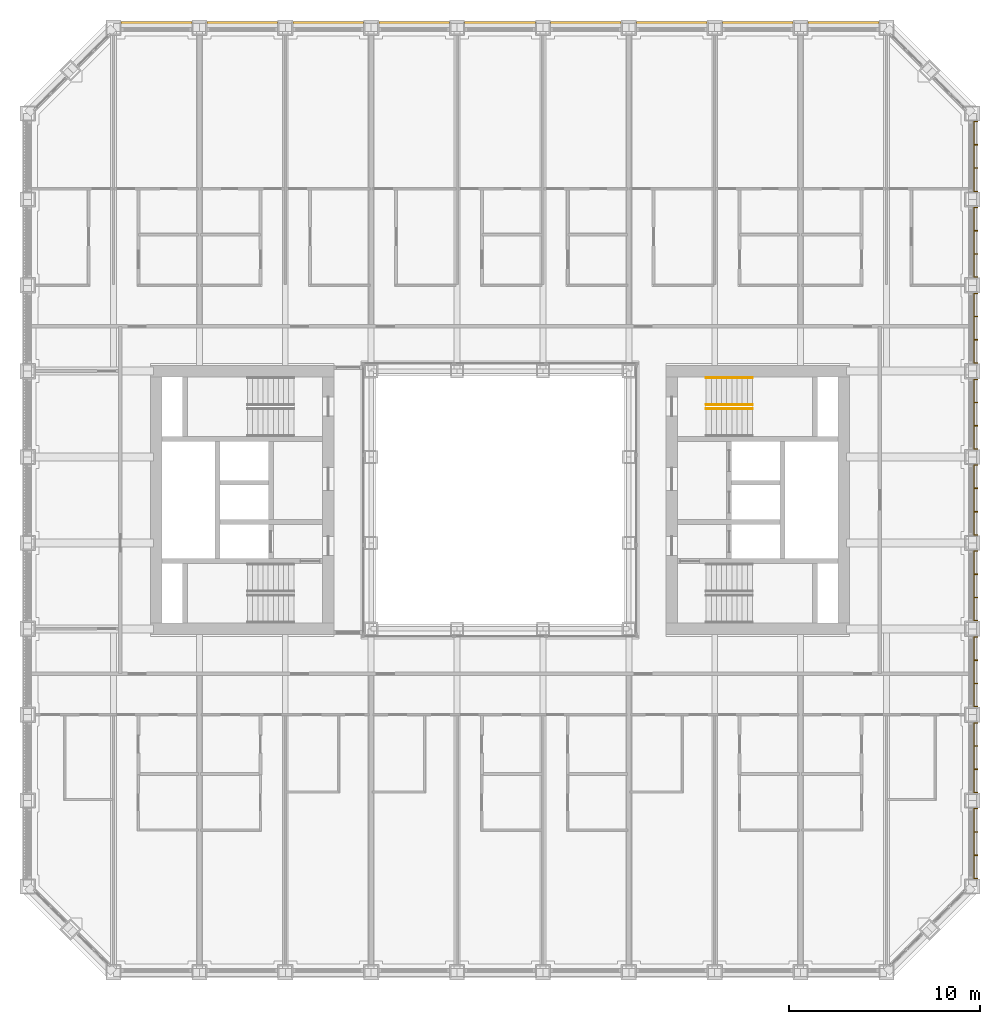
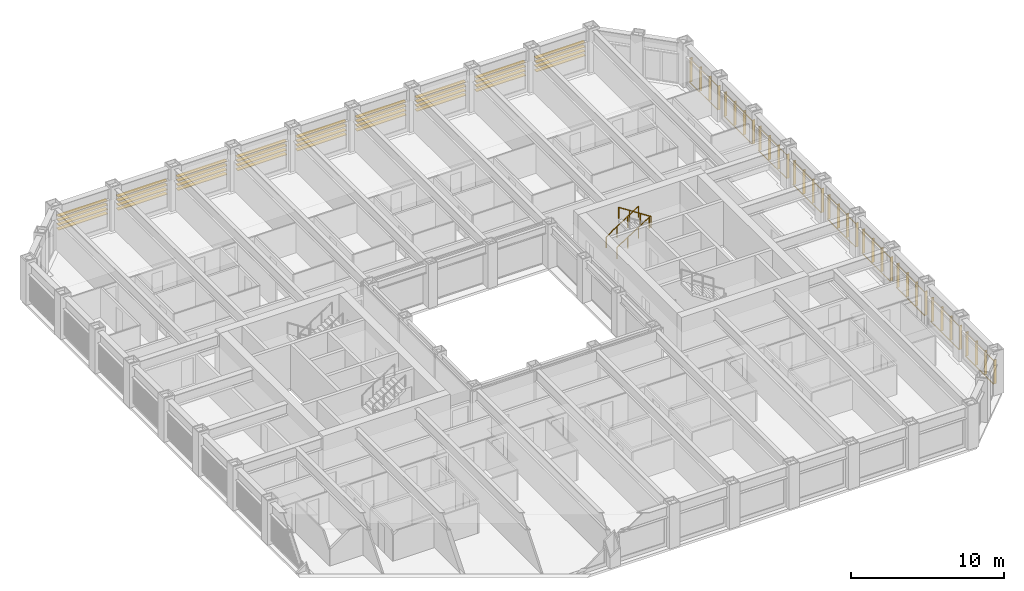
# One storey, part 21 of 21: 3 railings, 2 shading devices.
"""IFC4 building model written with IfcOpenShell, lengths in metres."""

from ifc_helpers import new_model, si_unit, direction, frame, origin, origin_2d, place, context, subcontext, project, spatial, rectangle, circle, extrude, material, type_object, element, save


model = new_model("IFC4")

# Units and contexts
model_context = context("Model", 3, precision=1e-05, world=origin(), true_north=direction((0.0, 1.0)))
body_context = subcontext(model_context, "Body", "Model", "MODEL_VIEW")
ifc_project = project(units=[si_unit("LENGTHUNIT", "METRE"), si_unit("AREAUNIT", "SQUARE_METRE"), si_unit("VOLUMEUNIT", "CUBIC_METRE"), si_unit("PLANEANGLEUNIT", "RADIAN"), si_unit("MASSUNIT", "GRAM", prefix="KILO")], contexts=[model_context])

# Site, building, storey
site_placement = place(None, origin())
site = spatial("IfcSite", under=ifc_project, at=site_placement, CompositionType="ELEMENT")
building_placement = place(site_placement, origin())
building = spatial("IfcBuilding", under=site, at=building_placement, Name="Msasa Ring Tower", CompositionType="ELEMENT")
storey_placement = place(building_placement, frame((0.0, 0.0, 51.0)))
storey = spatial("IfcBuildingStorey", under=building, at=storey_placement, Name="L12", CompositionType="ELEMENT", Elevation=51.0)

# Shading device
ifc_material_1 = material(Name="Extruded terracotta on aluminium carriers", Category="masonry")
shading_device_type_1 = type_object("IfcShadingDeviceType", Name="BS2 TERRACOTTA FIN SCREEN 40x200 AT 1350", PredefinedType="USERDEFINED", material=ifc_material_1)
shading_device_1_placement = place(storey_placement, origin())
element("IfcShadingDevice", 1, at=shading_device_1_placement, inside=storey, type_object=shading_device_type_1, Name="Terracotta fin screen E L12", ObjectType="BAGUETTE", PredefinedType="USERDEFINED", context=body_context, shape_type="SweptSolid", body=[
    extrude(rectangle(XDim=0.06005859375, YDim=0.0400390625, at=origin_2d()), frame((24.830078125, -19.85009765625, 0.330078125), z_axis=(0.0, 1.0, 0.0), x_axis=(0.0, 0.0, 1.0)), (0.0, 0.0, 1.0), 3.699951171875),
    extrude(rectangle(XDim=0.06005859375, YDim=0.0400390625, at=origin_2d()), frame((24.830078125, -19.85009765625, 2.198974609375), z_axis=(0.0, 1.0, 0.0), x_axis=(0.0, 0.0, 1.0)), (0.0, 0.0, 1.0), 3.699951171875),
    extrude(rectangle(XDim=0.0400390625, YDim=0.199951171875, at=origin_2d()), frame((24.945068359375, -19.830078125, 0.300048828125), z_axis=(0.0, 0.0, 1.0), x_axis=(0.0, 1.0, 0.0)), (0.0, 0.0, 1.0), 1.928955078125),
    extrude(rectangle(XDim=0.0400390625, YDim=0.199951171875, at=origin_2d()), frame((24.945068359375, -18.610107421875, 0.300048828125), z_axis=(0.0, 0.0, 1.0), x_axis=(0.0, 1.0, 0.0)), (0.0, 0.0, 1.0), 1.928955078125),
    extrude(rectangle(XDim=0.0400390625, YDim=0.199951171875, at=origin_2d()), frame((24.945068359375, -17.389892578125, 0.300048828125), z_axis=(0.0, 0.0, 1.0), x_axis=(0.0, 1.0, 0.0)), (0.0, 0.0, 1.0), 1.928955078125),
    extrude(rectangle(XDim=0.0400390625, YDim=0.199951171875, at=origin_2d()), frame((24.945068359375, -16.169921875, 0.300048828125), z_axis=(0.0, 0.0, 1.0), x_axis=(0.0, 1.0, 0.0)), (0.0, 0.0, 1.0), 1.928955078125),
    extrude(rectangle(XDim=0.06005859375, YDim=0.0400390625, at=origin_2d()), frame((24.830078125, -15.35009765625, 0.330078125), z_axis=(0.0, 1.0, 0.0), x_axis=(0.0, 0.0, 1.0)), (0.0, 0.0, 1.0), 3.699951171875),
    extrude(rectangle(XDim=0.06005859375, YDim=0.0400390625, at=origin_2d()), frame((24.830078125, -15.35009765625, 2.198974609375), z_axis=(0.0, 1.0, 0.0), x_axis=(0.0, 0.0, 1.0)), (0.0, 0.0, 1.0), 3.699951171875),
    extrude(rectangle(XDim=0.0400390625, YDim=0.199951171875, at=origin_2d()), frame((24.945068359375, -15.330078125, 0.300048828125), z_axis=(0.0, 0.0, 1.0), x_axis=(0.0, 1.0, 0.0)), (0.0, 0.0, 1.0), 1.928955078125),
    extrude(rectangle(XDim=0.0400390625, YDim=0.199951171875, at=origin_2d()), frame((24.945068359375, -14.110107421875, 0.300048828125), z_axis=(0.0, 0.0, 1.0), x_axis=(0.0, 1.0, 0.0)), (0.0, 0.0, 1.0), 1.928955078125),
    extrude(rectangle(XDim=0.0400390625, YDim=0.199951171875, at=origin_2d()), frame((24.945068359375, -12.889892578125, 0.300048828125), z_axis=(0.0, 0.0, 1.0), x_axis=(0.0, 1.0, 0.0)), (0.0, 0.0, 1.0), 1.928955078125),
    extrude(rectangle(XDim=0.0400390625, YDim=0.199951171875, at=origin_2d()), frame((24.945068359375, -11.669921875, 0.300048828125), z_axis=(0.0, 0.0, 1.0), x_axis=(0.0, 1.0, 0.0)), (0.0, 0.0, 1.0), 1.928955078125),
    extrude(rectangle(XDim=0.06005859375, YDim=0.0400390625, at=origin_2d()), frame((24.830078125, -10.85009765625, 0.330078125), z_axis=(0.0, 1.0, 0.0), x_axis=(0.0, 0.0, 1.0)), (0.0, 0.0, 1.0), 3.699951171875),
    extrude(rectangle(XDim=0.06005859375, YDim=0.0400390625, at=origin_2d()), frame((24.830078125, -10.85009765625, 2.198974609375), z_axis=(0.0, 1.0, 0.0), x_axis=(0.0, 0.0, 1.0)), (0.0, 0.0, 1.0), 3.699951171875),
    extrude(rectangle(XDim=0.0400390625, YDim=0.199951171875, at=origin_2d()), frame((24.945068359375, -10.830078125, 0.300048828125), z_axis=(0.0, 0.0, 1.0), x_axis=(0.0, 1.0, 0.0)), (0.0, 0.0, 1.0), 1.928955078125),
    extrude(rectangle(XDim=0.0400390625, YDim=0.199951171875, at=origin_2d()), frame((24.945068359375, -9.610107421875, 0.300048828125), z_axis=(0.0, 0.0, 1.0), x_axis=(0.0, 1.0, 0.0)), (0.0, 0.0, 1.0), 1.928955078125),
    extrude(rectangle(XDim=0.0400390625, YDim=0.199951171875, at=origin_2d()), frame((24.945068359375, -8.389892578125, 0.300048828125), z_axis=(0.0, 0.0, 1.0), x_axis=(0.0, 1.0, 0.0)), (0.0, 0.0, 1.0), 1.928955078125),
    extrude(rectangle(XDim=0.0400390625, YDim=0.199951171875, at=origin_2d()), frame((24.945068359375, -7.169921875, 0.300048828125), z_axis=(0.0, 0.0, 1.0), x_axis=(0.0, 1.0, 0.0)), (0.0, 0.0, 1.0), 1.928955078125),
    extrude(rectangle(XDim=0.06005859375, YDim=0.0400390625, at=origin_2d()), frame((24.830078125, -6.35009765625, 0.330078125), z_axis=(0.0, 1.0, 0.0), x_axis=(0.0, 0.0, 1.0)), (0.0, 0.0, 1.0), 3.699951171875),
    extrude(rectangle(XDim=0.06005859375, YDim=0.0400390625, at=origin_2d()), frame((24.830078125, -6.35009765625, 2.198974609375), z_axis=(0.0, 1.0, 0.0), x_axis=(0.0, 0.0, 1.0)), (0.0, 0.0, 1.0), 3.699951171875),
    extrude(rectangle(XDim=0.0400390625, YDim=0.199951171875, at=origin_2d()), frame((24.945068359375, -6.330078125, 0.300048828125), z_axis=(0.0, 0.0, 1.0), x_axis=(0.0, 1.0, 0.0)), (0.0, 0.0, 1.0), 1.928955078125),
    extrude(rectangle(XDim=0.0400390625, YDim=0.199951171875, at=origin_2d()), frame((24.945068359375, -5.110107421875, 0.300048828125), z_axis=(0.0, 0.0, 1.0), x_axis=(0.0, 1.0, 0.0)), (0.0, 0.0, 1.0), 1.928955078125),
    extrude(rectangle(XDim=0.0400390625, YDim=0.199951171875, at=origin_2d()), frame((24.945068359375, -3.889892578125, 0.300048828125), z_axis=(0.0, 0.0, 1.0), x_axis=(0.0, 1.0, 0.0)), (0.0, 0.0, 1.0), 1.928955078125),
    extrude(rectangle(XDim=0.0400390625, YDim=0.199951171875, at=origin_2d()), frame((24.945068359375, -2.669921875, 0.300048828125), z_axis=(0.0, 0.0, 1.0), x_axis=(0.0, 1.0, 0.0)), (0.0, 0.0, 1.0), 1.928955078125),
    extrude(rectangle(XDim=0.06005859375, YDim=0.0400390625, at=origin_2d()), frame((24.830078125, -1.85009765625, 0.330078125), z_axis=(0.0, 1.0, 0.0), x_axis=(0.0, 0.0, 1.0)), (0.0, 0.0, 1.0), 3.699951171875),
    extrude(rectangle(XDim=0.06005859375, YDim=0.0400390625, at=origin_2d()), frame((24.830078125, -1.85009765625, 2.198974609375), z_axis=(0.0, 1.0, 0.0), x_axis=(0.0, 0.0, 1.0)), (0.0, 0.0, 1.0), 3.699951171875),
    extrude(rectangle(XDim=0.0400390625, YDim=0.199951171875, at=origin_2d()), frame((24.945068359375, -1.830078125, 0.300048828125), z_axis=(0.0, 0.0, 1.0), x_axis=(0.0, 1.0, 0.0)), (0.0, 0.0, 1.0), 1.928955078125),
    extrude(rectangle(XDim=0.0400390625, YDim=0.199951171875, at=origin_2d()), frame((24.945068359375, -0.610107421875, 0.300048828125), z_axis=(0.0, 0.0, 1.0), x_axis=(0.0, 1.0, 0.0)), (0.0, 0.0, 1.0), 1.928955078125),
    extrude(rectangle(XDim=0.0400390625, YDim=0.199951171875, at=origin_2d()), frame((24.945068359375, 0.610107421875, 0.300048828125), z_axis=(0.0, 0.0, 1.0), x_axis=(0.0, 1.0, 0.0)), (0.0, 0.0, 1.0), 1.928955078125),
    extrude(rectangle(XDim=0.0400390625, YDim=0.199951171875, at=origin_2d()), frame((24.945068359375, 1.830078125, 0.300048828125), z_axis=(0.0, 0.0, 1.0), x_axis=(0.0, 1.0, 0.0)), (0.0, 0.0, 1.0), 1.928955078125),
    extrude(rectangle(XDim=0.06005859375, YDim=0.0400390625, at=origin_2d()), frame((24.830078125, 2.64990234375, 0.330078125), z_axis=(0.0, 1.0, 0.0), x_axis=(0.0, 0.0, 1.0)), (0.0, 0.0, 1.0), 3.699951171875),
    extrude(rectangle(XDim=0.06005859375, YDim=0.0400390625, at=origin_2d()), frame((24.830078125, 2.64990234375, 2.198974609375), z_axis=(0.0, 1.0, 0.0), x_axis=(0.0, 0.0, 1.0)), (0.0, 0.0, 1.0), 3.699951171875),
    extrude(rectangle(XDim=0.0400390625, YDim=0.199951171875, at=origin_2d()), frame((24.945068359375, 2.669921875, 0.300048828125), z_axis=(0.0, 0.0, 1.0), x_axis=(0.0, 1.0, 0.0)), (0.0, 0.0, 1.0), 1.928955078125),
    extrude(rectangle(XDim=0.0400390625, YDim=0.199951171875, at=origin_2d()), frame((24.945068359375, 3.889892578125, 0.300048828125), z_axis=(0.0, 0.0, 1.0), x_axis=(0.0, 1.0, 0.0)), (0.0, 0.0, 1.0), 1.928955078125),
    extrude(rectangle(XDim=0.0400390625, YDim=0.199951171875, at=origin_2d()), frame((24.945068359375, 5.110107421875, 0.300048828125), z_axis=(0.0, 0.0, 1.0), x_axis=(0.0, 1.0, 0.0)), (0.0, 0.0, 1.0), 1.928955078125),
    extrude(rectangle(XDim=0.0400390625, YDim=0.199951171875, at=origin_2d()), frame((24.945068359375, 6.330078125, 0.300048828125), z_axis=(0.0, 0.0, 1.0), x_axis=(0.0, 1.0, 0.0)), (0.0, 0.0, 1.0), 1.928955078125),
    extrude(rectangle(XDim=0.06005859375, YDim=0.0400390625, at=origin_2d()), frame((24.830078125, 7.14990234375, 0.330078125), z_axis=(0.0, 1.0, 0.0), x_axis=(0.0, 0.0, 1.0)), (0.0, 0.0, 1.0), 3.699951171875),
    extrude(rectangle(XDim=0.06005859375, YDim=0.0400390625, at=origin_2d()), frame((24.830078125, 7.14990234375, 2.198974609375), z_axis=(0.0, 1.0, 0.0), x_axis=(0.0, 0.0, 1.0)), (0.0, 0.0, 1.0), 3.699951171875),
    extrude(rectangle(XDim=0.0400390625, YDim=0.199951171875, at=origin_2d()), frame((24.945068359375, 7.169921875, 0.300048828125), z_axis=(0.0, 0.0, 1.0), x_axis=(0.0, 1.0, 0.0)), (0.0, 0.0, 1.0), 1.928955078125),
    extrude(rectangle(XDim=0.0400390625, YDim=0.199951171875, at=origin_2d()), frame((24.945068359375, 8.389892578125, 0.300048828125), z_axis=(0.0, 0.0, 1.0), x_axis=(0.0, 1.0, 0.0)), (0.0, 0.0, 1.0), 1.928955078125),
    extrude(rectangle(XDim=0.0400390625, YDim=0.199951171875, at=origin_2d()), frame((24.945068359375, 9.610107421875, 0.300048828125), z_axis=(0.0, 0.0, 1.0), x_axis=(0.0, 1.0, 0.0)), (0.0, 0.0, 1.0), 1.928955078125),
    extrude(rectangle(XDim=0.0400390625, YDim=0.199951171875, at=origin_2d()), frame((24.945068359375, 10.830078125, 0.300048828125), z_axis=(0.0, 0.0, 1.0), x_axis=(0.0, 1.0, 0.0)), (0.0, 0.0, 1.0), 1.928955078125),
    extrude(rectangle(XDim=0.06005859375, YDim=0.0400390625, at=origin_2d()), frame((24.830078125, 11.64990234375, 0.330078125), z_axis=(0.0, 1.0, 0.0), x_axis=(0.0, 0.0, 1.0)), (0.0, 0.0, 1.0), 3.699951171875),
    extrude(rectangle(XDim=0.06005859375, YDim=0.0400390625, at=origin_2d()), frame((24.830078125, 11.64990234375, 2.198974609375), z_axis=(0.0, 1.0, 0.0), x_axis=(0.0, 0.0, 1.0)), (0.0, 0.0, 1.0), 3.699951171875),
    extrude(rectangle(XDim=0.0400390625, YDim=0.199951171875, at=origin_2d()), frame((24.945068359375, 11.669921875, 0.300048828125), z_axis=(0.0, 0.0, 1.0), x_axis=(0.0, 1.0, 0.0)), (0.0, 0.0, 1.0), 1.928955078125),
    extrude(rectangle(XDim=0.0400390625, YDim=0.199951171875, at=origin_2d()), frame((24.945068359375, 12.889892578125, 0.300048828125), z_axis=(0.0, 0.0, 1.0), x_axis=(0.0, 1.0, 0.0)), (0.0, 0.0, 1.0), 1.928955078125),
    extrude(rectangle(XDim=0.0400390625, YDim=0.199951171875, at=origin_2d()), frame((24.945068359375, 14.110107421875, 0.300048828125), z_axis=(0.0, 0.0, 1.0), x_axis=(0.0, 1.0, 0.0)), (0.0, 0.0, 1.0), 1.928955078125),
    extrude(rectangle(XDim=0.0400390625, YDim=0.199951171875, at=origin_2d()), frame((24.945068359375, 15.330078125, 0.300048828125), z_axis=(0.0, 0.0, 1.0), x_axis=(0.0, 1.0, 0.0)), (0.0, 0.0, 1.0), 1.928955078125),
    extrude(rectangle(XDim=0.06005859375, YDim=0.0400390625, at=origin_2d()), frame((24.830078125, 16.14990234375, 0.330078125), z_axis=(0.0, 1.0, 0.0), x_axis=(0.0, 0.0, 1.0)), (0.0, 0.0, 1.0), 3.699951171875),
    extrude(rectangle(XDim=0.06005859375, YDim=0.0400390625, at=origin_2d()), frame((24.830078125, 16.14990234375, 2.198974609375), z_axis=(0.0, 1.0, 0.0), x_axis=(0.0, 0.0, 1.0)), (0.0, 0.0, 1.0), 3.699951171875),
    extrude(rectangle(XDim=0.0400390625, YDim=0.199951171875, at=origin_2d()), frame((24.945068359375, 16.169921875, 0.300048828125), z_axis=(0.0, 0.0, 1.0), x_axis=(0.0, 1.0, 0.0)), (0.0, 0.0, 1.0), 1.928955078125),
    extrude(rectangle(XDim=0.0400390625, YDim=0.199951171875, at=origin_2d()), frame((24.945068359375, 17.389892578125, 0.300048828125), z_axis=(0.0, 0.0, 1.0), x_axis=(0.0, 1.0, 0.0)), (0.0, 0.0, 1.0), 1.928955078125),
    extrude(rectangle(XDim=0.0400390625, YDim=0.199951171875, at=origin_2d()), frame((24.945068359375, 18.610107421875, 0.300048828125), z_axis=(0.0, 0.0, 1.0), x_axis=(0.0, 1.0, 0.0)), (0.0, 0.0, 1.0), 1.928955078125),
    extrude(rectangle(XDim=0.0400390625, YDim=0.199951171875, at=origin_2d()), frame((24.945068359375, 19.830078125, 0.300048828125), z_axis=(0.0, 0.0, 1.0), x_axis=(0.0, 1.0, 0.0)), (0.0, 0.0, 1.0), 1.928955078125),
])

# Railings
ifc_material_2 = material(Name="Stainless steel", Category="steel")
railing_type = type_object("IfcRailingType", Name="HR1 HANDRAIL 900", PredefinedType="HANDRAIL", material=ifc_material_2)
for number, where, name in (
    (2, (10.800048828125, 5.0, 0.175048828125), "Handrail stair SEB L12 1"),
    (3, (10.800048828125, 6.39990234375, 0.175048828125), "Handrail stair SEB L12 2"),
):
    element("IfcRailing", number, at=place(storey_placement, frame(where)), inside=storey, type_object=railing_type, Name=name, PredefinedType="HANDRAIL", context=body_context, shape_type="SweptSolid", body=[
        extrude(circle(Radius=0.02392578125, at=origin_2d()), frame((0.0, 0.0, 0.8759765625), z_axis=(0.839153699163, 0.0, 0.543894354798), x_axis=(0.0, 1.0, 0.0)), (0.0, 0.0, 1.0), 2.895751953125),
        extrude(circle(Radius=0.02099609375, at=origin_2d()), origin(), (0.0, 0.0, 1.0), 0.851806640625),
        extrude(circle(Radius=0.02099609375, at=origin_2d()), frame((0.81005859375, 0.0, 0.52490234375)), (0.0, 0.0, 1.0), 0.851806640625),
        extrude(circle(Radius=0.02099609375, at=origin_2d()), frame((1.619873046875, 0.0, 1.050048828125)), (0.0, 0.0, 1.0), 0.851806640625),
        extrude(circle(Radius=0.02099609375, at=origin_2d()), frame((2.429931640625, 0.0, 1.574951171875)), (0.0, 0.0, 1.0), 0.851806640625),
    ])
railing_placement = place(storey_placement, frame((13.22998046875, 4.77490234375, 1.925048828125)))
element("IfcRailing", 4, at=railing_placement, inside=storey, type_object=railing_type, Name="Handrail stair SEB L12 4", PredefinedType="HANDRAIL", context=body_context, shape_type="SweptSolid", body=[
    extrude(circle(Radius=0.02392578125, at=origin_2d()), frame((0.0, 0.0, 0.8759765625), z_axis=(-0.839153699163, 0.0, 0.543894354798), x_axis=(0.0, -1.0, 0.0)), (0.0, 0.0, 1.0), 2.895751953125),
    extrude(circle(Radius=0.02099609375, at=origin_2d()), origin(), (0.0, 0.0, 1.0), 0.851806640625),
    extrude(circle(Radius=0.02099609375, at=origin_2d()), frame((-0.81005859375, 0.0, 0.52490234375)), (0.0, 0.0, 1.0), 0.851806640625),
    extrude(circle(Radius=0.02099609375, at=origin_2d()), frame((-1.619873046875, 0.0, 1.050048828125)), (0.0, 0.0, 1.0), 0.851806640625),
    extrude(circle(Radius=0.02099609375, at=origin_2d()), frame((-2.429931640625, 0.0, 1.574951171875)), (0.0, 0.0, 1.0), 0.851806640625),
])

# Shading device
ifc_material_3 = material(Name="Extruded terracotta blades", Category="masonry")
shading_device_type_2 = type_object("IfcShadingDeviceType", Name="SS1 TERRACOTTA SUNSHADE 4 BLADES 300x40 AT 350", PredefinedType="USERDEFINED", material=ifc_material_3)
shading_device_2_placement = place(storey_placement, origin())
element("IfcShadingDevice", 5, at=shading_device_2_placement, inside=storey, type_object=shading_device_type_2, Name="Terracotta sunshade N L12", ObjectType="SUNSHADE", PredefinedType="USERDEFINED", context=body_context, shape_type="SweptSolid", body=[
    extrude(rectangle(XDim=0.0400390625, YDim=0.300048828125, at=origin_2d()), frame((-19.85009765625, 24.929931640625, 2.208984375), z_axis=(1.0, 0.0, 0.0), x_axis=(0.0, 0.0, 1.0)), (0.0, 0.0, 1.0), 3.699951171875),
    extrude(rectangle(XDim=0.0400390625, YDim=0.300048828125, at=origin_2d()), frame((-19.85009765625, 24.929931640625, 1.85888671875), z_axis=(1.0, 0.0, 0.0), x_axis=(0.0, 0.0, 1.0)), (0.0, 0.0, 1.0), 3.699951171875),
    extrude(rectangle(XDim=0.0400390625, YDim=0.300048828125, at=origin_2d()), frame((-19.85009765625, 24.929931640625, 1.509033203125), z_axis=(1.0, 0.0, 0.0), x_axis=(0.0, 0.0, 1.0)), (0.0, 0.0, 1.0), 3.699951171875),
    extrude(rectangle(XDim=0.0400390625, YDim=0.300048828125, at=origin_2d()), frame((-19.85009765625, 24.929931640625, 1.158935546875), z_axis=(1.0, 0.0, 0.0), x_axis=(0.0, 0.0, 1.0)), (0.0, 0.0, 1.0), 3.699951171875),
    extrude(rectangle(XDim=0.0400390625, YDim=0.300048828125, at=origin_2d()), frame((-15.35009765625, 24.929931640625, 2.208984375), z_axis=(1.0, 0.0, 0.0), x_axis=(0.0, 0.0, 1.0)), (0.0, 0.0, 1.0), 3.699951171875),
    extrude(rectangle(XDim=0.0400390625, YDim=0.300048828125, at=origin_2d()), frame((-15.35009765625, 24.929931640625, 1.85888671875), z_axis=(1.0, 0.0, 0.0), x_axis=(0.0, 0.0, 1.0)), (0.0, 0.0, 1.0), 3.699951171875),
    extrude(rectangle(XDim=0.0400390625, YDim=0.300048828125, at=origin_2d()), frame((-15.35009765625, 24.929931640625, 1.509033203125), z_axis=(1.0, 0.0, 0.0), x_axis=(0.0, 0.0, 1.0)), (0.0, 0.0, 1.0), 3.699951171875),
    extrude(rectangle(XDim=0.0400390625, YDim=0.300048828125, at=origin_2d()), frame((-15.35009765625, 24.929931640625, 1.158935546875), z_axis=(1.0, 0.0, 0.0), x_axis=(0.0, 0.0, 1.0)), (0.0, 0.0, 1.0), 3.699951171875),
    extrude(rectangle(XDim=0.0400390625, YDim=0.300048828125, at=origin_2d()), frame((-10.85009765625, 24.929931640625, 2.208984375), z_axis=(1.0, 0.0, 0.0), x_axis=(0.0, 0.0, 1.0)), (0.0, 0.0, 1.0), 3.699951171875),
    extrude(rectangle(XDim=0.0400390625, YDim=0.300048828125, at=origin_2d()), frame((-10.85009765625, 24.929931640625, 1.85888671875), z_axis=(1.0, 0.0, 0.0), x_axis=(0.0, 0.0, 1.0)), (0.0, 0.0, 1.0), 3.699951171875),
    extrude(rectangle(XDim=0.0400390625, YDim=0.300048828125, at=origin_2d()), frame((-10.85009765625, 24.929931640625, 1.509033203125), z_axis=(1.0, 0.0, 0.0), x_axis=(0.0, 0.0, 1.0)), (0.0, 0.0, 1.0), 3.699951171875),
    extrude(rectangle(XDim=0.0400390625, YDim=0.300048828125, at=origin_2d()), frame((-10.85009765625, 24.929931640625, 1.158935546875), z_axis=(1.0, 0.0, 0.0), x_axis=(0.0, 0.0, 1.0)), (0.0, 0.0, 1.0), 3.699951171875),
    extrude(rectangle(XDim=0.0400390625, YDim=0.300048828125, at=origin_2d()), frame((-6.35009765625, 24.929931640625, 2.208984375), z_axis=(1.0, 0.0, 0.0), x_axis=(0.0, 0.0, 1.0)), (0.0, 0.0, 1.0), 3.699951171875),
    extrude(rectangle(XDim=0.0400390625, YDim=0.300048828125, at=origin_2d()), frame((-6.35009765625, 24.929931640625, 1.85888671875), z_axis=(1.0, 0.0, 0.0), x_axis=(0.0, 0.0, 1.0)), (0.0, 0.0, 1.0), 3.699951171875),
    extrude(rectangle(XDim=0.0400390625, YDim=0.300048828125, at=origin_2d()), frame((-6.35009765625, 24.929931640625, 1.509033203125), z_axis=(1.0, 0.0, 0.0), x_axis=(0.0, 0.0, 1.0)), (0.0, 0.0, 1.0), 3.699951171875),
    extrude(rectangle(XDim=0.0400390625, YDim=0.300048828125, at=origin_2d()), frame((-6.35009765625, 24.929931640625, 1.158935546875), z_axis=(1.0, 0.0, 0.0), x_axis=(0.0, 0.0, 1.0)), (0.0, 0.0, 1.0), 3.699951171875),
    extrude(rectangle(XDim=0.0400390625, YDim=0.300048828125, at=origin_2d()), frame((-1.85009765625, 24.929931640625, 2.208984375), z_axis=(1.0, 0.0, 0.0), x_axis=(0.0, 0.0, 1.0)), (0.0, 0.0, 1.0), 3.699951171875),
    extrude(rectangle(XDim=0.0400390625, YDim=0.300048828125, at=origin_2d()), frame((-1.85009765625, 24.929931640625, 1.85888671875), z_axis=(1.0, 0.0, 0.0), x_axis=(0.0, 0.0, 1.0)), (0.0, 0.0, 1.0), 3.699951171875),
    extrude(rectangle(XDim=0.0400390625, YDim=0.300048828125, at=origin_2d()), frame((-1.85009765625, 24.929931640625, 1.509033203125), z_axis=(1.0, 0.0, 0.0), x_axis=(0.0, 0.0, 1.0)), (0.0, 0.0, 1.0), 3.699951171875),
    extrude(rectangle(XDim=0.0400390625, YDim=0.300048828125, at=origin_2d()), frame((-1.85009765625, 24.929931640625, 1.158935546875), z_axis=(1.0, 0.0, 0.0), x_axis=(0.0, 0.0, 1.0)), (0.0, 0.0, 1.0), 3.699951171875),
    extrude(rectangle(XDim=0.0400390625, YDim=0.300048828125, at=origin_2d()), frame((2.64990234375, 24.929931640625, 2.208984375), z_axis=(1.0, 0.0, 0.0), x_axis=(0.0, 0.0, 1.0)), (0.0, 0.0, 1.0), 3.699951171875),
    extrude(rectangle(XDim=0.0400390625, YDim=0.300048828125, at=origin_2d()), frame((2.64990234375, 24.929931640625, 1.85888671875), z_axis=(1.0, 0.0, 0.0), x_axis=(0.0, 0.0, 1.0)), (0.0, 0.0, 1.0), 3.699951171875),
    extrude(rectangle(XDim=0.0400390625, YDim=0.300048828125, at=origin_2d()), frame((2.64990234375, 24.929931640625, 1.509033203125), z_axis=(1.0, 0.0, 0.0), x_axis=(0.0, 0.0, 1.0)), (0.0, 0.0, 1.0), 3.699951171875),
    extrude(rectangle(XDim=0.0400390625, YDim=0.300048828125, at=origin_2d()), frame((2.64990234375, 24.929931640625, 1.158935546875), z_axis=(1.0, 0.0, 0.0), x_axis=(0.0, 0.0, 1.0)), (0.0, 0.0, 1.0), 3.699951171875),
    extrude(rectangle(XDim=0.0400390625, YDim=0.300048828125, at=origin_2d()), frame((7.14990234375, 24.929931640625, 2.208984375), z_axis=(1.0, 0.0, 0.0), x_axis=(0.0, 0.0, 1.0)), (0.0, 0.0, 1.0), 3.699951171875),
    extrude(rectangle(XDim=0.0400390625, YDim=0.300048828125, at=origin_2d()), frame((7.14990234375, 24.929931640625, 1.85888671875), z_axis=(1.0, 0.0, 0.0), x_axis=(0.0, 0.0, 1.0)), (0.0, 0.0, 1.0), 3.699951171875),
    extrude(rectangle(XDim=0.0400390625, YDim=0.300048828125, at=origin_2d()), frame((7.14990234375, 24.929931640625, 1.509033203125), z_axis=(1.0, 0.0, 0.0), x_axis=(0.0, 0.0, 1.0)), (0.0, 0.0, 1.0), 3.699951171875),
    extrude(rectangle(XDim=0.0400390625, YDim=0.300048828125, at=origin_2d()), frame((7.14990234375, 24.929931640625, 1.158935546875), z_axis=(1.0, 0.0, 0.0), x_axis=(0.0, 0.0, 1.0)), (0.0, 0.0, 1.0), 3.699951171875),
    extrude(rectangle(XDim=0.0400390625, YDim=0.300048828125, at=origin_2d()), frame((11.64990234375, 24.929931640625, 2.208984375), z_axis=(1.0, 0.0, 0.0), x_axis=(0.0, 0.0, 1.0)), (0.0, 0.0, 1.0), 3.699951171875),
    extrude(rectangle(XDim=0.0400390625, YDim=0.300048828125, at=origin_2d()), frame((11.64990234375, 24.929931640625, 1.85888671875), z_axis=(1.0, 0.0, 0.0), x_axis=(0.0, 0.0, 1.0)), (0.0, 0.0, 1.0), 3.699951171875),
    extrude(rectangle(XDim=0.0400390625, YDim=0.300048828125, at=origin_2d()), frame((11.64990234375, 24.929931640625, 1.509033203125), z_axis=(1.0, 0.0, 0.0), x_axis=(0.0, 0.0, 1.0)), (0.0, 0.0, 1.0), 3.699951171875),
    extrude(rectangle(XDim=0.0400390625, YDim=0.300048828125, at=origin_2d()), frame((11.64990234375, 24.929931640625, 1.158935546875), z_axis=(1.0, 0.0, 0.0), x_axis=(0.0, 0.0, 1.0)), (0.0, 0.0, 1.0), 3.699951171875),
    extrude(rectangle(XDim=0.0400390625, YDim=0.300048828125, at=origin_2d()), frame((16.14990234375, 24.929931640625, 2.208984375), z_axis=(1.0, 0.0, 0.0), x_axis=(0.0, 0.0, 1.0)), (0.0, 0.0, 1.0), 3.699951171875),
    extrude(rectangle(XDim=0.0400390625, YDim=0.300048828125, at=origin_2d()), frame((16.14990234375, 24.929931640625, 1.85888671875), z_axis=(1.0, 0.0, 0.0), x_axis=(0.0, 0.0, 1.0)), (0.0, 0.0, 1.0), 3.699951171875),
    extrude(rectangle(XDim=0.0400390625, YDim=0.300048828125, at=origin_2d()), frame((16.14990234375, 24.929931640625, 1.509033203125), z_axis=(1.0, 0.0, 0.0), x_axis=(0.0, 0.0, 1.0)), (0.0, 0.0, 1.0), 3.699951171875),
    extrude(rectangle(XDim=0.0400390625, YDim=0.300048828125, at=origin_2d()), frame((16.14990234375, 24.929931640625, 1.158935546875), z_axis=(1.0, 0.0, 0.0), x_axis=(0.0, 0.0, 1.0)), (0.0, 0.0, 1.0), 3.699951171875),
])

save(model, "model.ifc")
